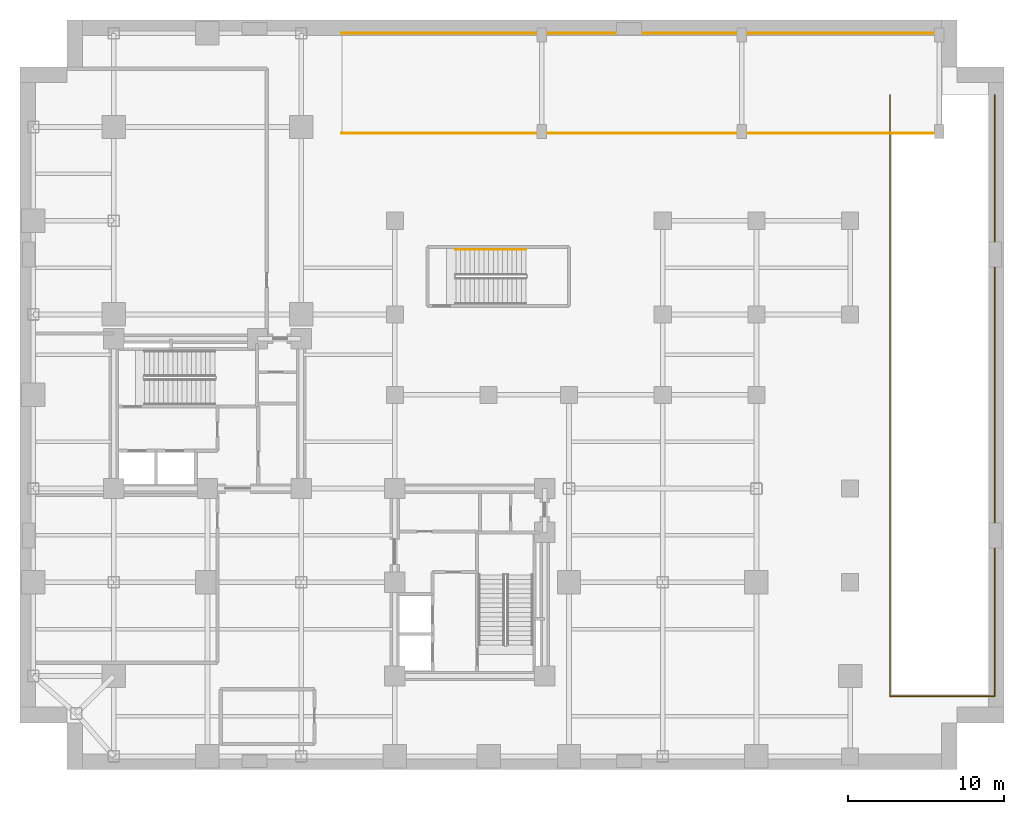
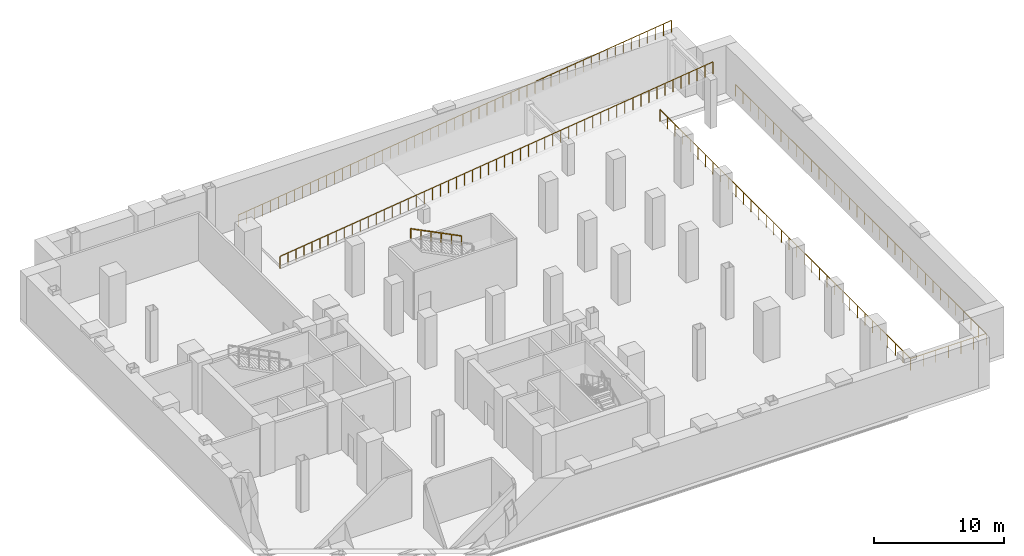
# One storey, part 6 of 6: 4 railings.
"""IFC4 building model written with IfcOpenShell, lengths in metres."""

from ifc_helpers import new_model, si_unit, direction, frame, origin, origin_2d, place, context, subcontext, project, spatial, rectangle, extrude, material, type_object, element, save


model = new_model("IFC4")

# Units and contexts
model_context = context("Model", 3, precision=1e-05, world=origin(), true_north=direction((0.0, 1.0)))
body_context = subcontext(model_context, "Body", "Model", "MODEL_VIEW")
ifc_project = project(units=[si_unit("LENGTHUNIT", "METRE"), si_unit("AREAUNIT", "SQUARE_METRE"), si_unit("VOLUMEUNIT", "CUBIC_METRE"), si_unit("PLANEANGLEUNIT", "RADIAN"), si_unit("MASSUNIT", "GRAM", prefix="KILO"), si_unit("THERMODYNAMICTEMPERATUREUNIT", "KELVIN"), si_unit("POWERUNIT", "WATT")], contexts=[model_context])

# Site, building, storey
site_placement = place(None, origin())
site = spatial("IfcSite", under=ifc_project, at=site_placement, CompositionType="ELEMENT")
building_placement = place(site_placement, origin())
building = spatial("IfcBuilding", under=site, at=building_placement, Name="Svarakhadi Broadcast Tower", CompositionType="ELEMENT")
storey_placement = place(building_placement, frame((0.0, 0.0, -4.800048828125)))
storey = spatial("IfcBuildingStorey", under=building, at=storey_placement, Name="B01", CompositionType="ELEMENT", Elevation=-4.800048828125)

# Railings
ifc_material = material(Name="Anodised Bronze Aluminium AA 6063-T6", Category="aluminium")
railing_type_1 = type_object("IfcRailingType", Name="Guard_Void_GR04", PredefinedType="GUARDRAIL", material=ifc_material)
railing_1_placement = place(storey_placement, frame((55.699951171875, 43.199951171875, 0.0)))
element("IfcRailing", 1, at=railing_1_placement, inside=storey, type_object=railing_type_1, Name="B01 Vehicle Ramp Open Well Guard GR-04", PredefinedType="GUARDRAIL", context=body_context, shape_type="SweptSolid", body=[
    extrude(rectangle(XDim=0.048095703125, YDim=0.048095703125, at=origin_2d()), frame((0.0, 0.0, 1.1259765625), z_axis=(0.0, -1.0, 0.0), x_axis=(1.0, 0.0, 0.0)), (0.0, 0.0, 1.0), 38.5),
    extrude(rectangle(XDim=0.048095703125, YDim=0.048095703125, at=origin_2d()), frame((0.0, -38.5, 1.1259765625), z_axis=(1.0, 0.0, 0.0), x_axis=(0.0, 1.0, 0.0)), (0.0, 0.0, 1.0), 6.699951171875),
    extrude(rectangle(XDim=0.048095703125, YDim=0.048095703125, at=origin_2d()), frame((6.699951171875, -38.5, 1.1259765625), z_axis=(0.0, 1.0, 0.0), x_axis=(-1.0, 0.0, 0.0)), (0.0, 0.0, 1.0), 38.5),
    extrude(rectangle(XDim=0.0419921875, YDim=0.0419921875, at=origin_2d()), origin(), (0.0, 0.0, 1.0), 1.101806640625),
    extrude(rectangle(XDim=0.0419921875, YDim=0.0419921875, at=origin_2d()), frame((0.0, -1.166748046875, 0.0)), (0.0, 0.0, 1.0), 1.101806640625),
    extrude(rectangle(XDim=0.0419921875, YDim=0.0419921875, at=origin_2d()), frame((0.0, -2.333251953125, 0.0)), (0.0, 0.0, 1.0), 1.101806640625),
    extrude(rectangle(XDim=0.0419921875, YDim=0.0419921875, at=origin_2d()), frame((0.0, -3.5, 0.0)), (0.0, 0.0, 1.0), 1.101806640625),
    extrude(rectangle(XDim=0.0419921875, YDim=0.0419921875, at=origin_2d()), frame((0.0, -4.666748046875, 0.0)), (0.0, 0.0, 1.0), 1.101806640625),
    extrude(rectangle(XDim=0.0419921875, YDim=0.0419921875, at=origin_2d()), frame((0.0, -5.833251953125, 0.0)), (0.0, 0.0, 1.0), 1.101806640625),
    extrude(rectangle(XDim=0.0419921875, YDim=0.0419921875, at=origin_2d()), frame((0.0, -7.0, 0.0)), (0.0, 0.0, 1.0), 1.101806640625),
    extrude(rectangle(XDim=0.0419921875, YDim=0.0419921875, at=origin_2d()), frame((0.0, -8.166748046875, 0.0)), (0.0, 0.0, 1.0), 1.101806640625),
    extrude(rectangle(XDim=0.0419921875, YDim=0.0419921875, at=origin_2d()), frame((0.0, -9.333251953125, 0.0)), (0.0, 0.0, 1.0), 1.101806640625),
    extrude(rectangle(XDim=0.0419921875, YDim=0.0419921875, at=origin_2d()), frame((0.0, -10.5, 0.0)), (0.0, 0.0, 1.0), 1.101806640625),
    extrude(rectangle(XDim=0.0419921875, YDim=0.0419921875, at=origin_2d()), frame((0.0, -11.666748046875, 0.0)), (0.0, 0.0, 1.0), 1.101806640625),
    extrude(rectangle(XDim=0.0419921875, YDim=0.0419921875, at=origin_2d()), frame((0.0, -12.833251953125, 0.0)), (0.0, 0.0, 1.0), 1.101806640625),
    extrude(rectangle(XDim=0.0419921875, YDim=0.0419921875, at=origin_2d()), frame((0.0, -14.0, 0.0)), (0.0, 0.0, 1.0), 1.101806640625),
    extrude(rectangle(XDim=0.0419921875, YDim=0.0419921875, at=origin_2d()), frame((0.0, -15.166748046875, 0.0)), (0.0, 0.0, 1.0), 1.101806640625),
    extrude(rectangle(XDim=0.0419921875, YDim=0.0419921875, at=origin_2d()), frame((0.0, -16.333251953125, 0.0)), (0.0, 0.0, 1.0), 1.101806640625),
    extrude(rectangle(XDim=0.0419921875, YDim=0.0419921875, at=origin_2d()), frame((0.0, -17.5, 0.0)), (0.0, 0.0, 1.0), 1.101806640625),
    extrude(rectangle(XDim=0.0419921875, YDim=0.0419921875, at=origin_2d()), frame((0.0, -18.666748046875, 0.0)), (0.0, 0.0, 1.0), 1.101806640625),
    extrude(rectangle(XDim=0.0419921875, YDim=0.0419921875, at=origin_2d()), frame((0.0, -19.833251953125, 0.0)), (0.0, 0.0, 1.0), 1.101806640625),
    extrude(rectangle(XDim=0.0419921875, YDim=0.0419921875, at=origin_2d()), frame((0.0, -21.0, 0.0)), (0.0, 0.0, 1.0), 1.101806640625),
    extrude(rectangle(XDim=0.0419921875, YDim=0.0419921875, at=origin_2d()), frame((0.0, -22.166748046875, 0.0)), (0.0, 0.0, 1.0), 1.101806640625),
    extrude(rectangle(XDim=0.0419921875, YDim=0.0419921875, at=origin_2d()), frame((0.0, -23.333251953125, 0.0)), (0.0, 0.0, 1.0), 1.101806640625),
    extrude(rectangle(XDim=0.0419921875, YDim=0.0419921875, at=origin_2d()), frame((0.0, -24.5, 0.0)), (0.0, 0.0, 1.0), 1.101806640625),
    extrude(rectangle(XDim=0.0419921875, YDim=0.0419921875, at=origin_2d()), frame((0.0, -25.666748046875, 0.0)), (0.0, 0.0, 1.0), 1.101806640625),
    extrude(rectangle(XDim=0.0419921875, YDim=0.0419921875, at=origin_2d()), frame((0.0, -26.833251953125, 0.0)), (0.0, 0.0, 1.0), 1.101806640625),
    extrude(rectangle(XDim=0.0419921875, YDim=0.0419921875, at=origin_2d()), frame((0.0, -28.0, 0.0)), (0.0, 0.0, 1.0), 1.101806640625),
    extrude(rectangle(XDim=0.0419921875, YDim=0.0419921875, at=origin_2d()), frame((0.0, -29.166748046875, 0.0)), (0.0, 0.0, 1.0), 1.101806640625),
    extrude(rectangle(XDim=0.0419921875, YDim=0.0419921875, at=origin_2d()), frame((0.0, -30.333251953125, 0.0)), (0.0, 0.0, 1.0), 1.101806640625),
    extrude(rectangle(XDim=0.0419921875, YDim=0.0419921875, at=origin_2d()), frame((0.0, -31.5, 0.0)), (0.0, 0.0, 1.0), 1.101806640625),
    extrude(rectangle(XDim=0.0419921875, YDim=0.0419921875, at=origin_2d()), frame((0.0, -32.666748046875, 0.0)), (0.0, 0.0, 1.0), 1.101806640625),
    extrude(rectangle(XDim=0.0419921875, YDim=0.0419921875, at=origin_2d()), frame((0.0, -33.833251953125, 0.0)), (0.0, 0.0, 1.0), 1.101806640625),
    extrude(rectangle(XDim=0.0419921875, YDim=0.0419921875, at=origin_2d()), frame((0.0, -35.0, 0.0)), (0.0, 0.0, 1.0), 1.101806640625),
    extrude(rectangle(XDim=0.0419921875, YDim=0.0419921875, at=origin_2d()), frame((0.0, -36.166748046875, 0.0)), (0.0, 0.0, 1.0), 1.101806640625),
    extrude(rectangle(XDim=0.0419921875, YDim=0.0419921875, at=origin_2d()), frame((0.0, -37.333251953125, 0.0)), (0.0, 0.0, 1.0), 1.101806640625),
    extrude(rectangle(XDim=0.0419921875, YDim=0.0419921875, at=origin_2d()), frame((0.0, -38.5, 0.0)), (0.0, 0.0, 1.0), 1.101806640625),
    extrude(rectangle(XDim=0.0419921875, YDim=0.0419921875, at=origin_2d()), frame((1.11669921875, -38.5, 0.0)), (0.0, 0.0, 1.0), 1.101806640625),
    extrude(rectangle(XDim=0.0419921875, YDim=0.0419921875, at=origin_2d()), frame((2.2333984375, -38.5, 0.0)), (0.0, 0.0, 1.0), 1.101806640625),
    extrude(rectangle(XDim=0.0419921875, YDim=0.0419921875, at=origin_2d()), frame((3.35009765625, -38.5, 0.0)), (0.0, 0.0, 1.0), 1.101806640625),
    extrude(rectangle(XDim=0.0419921875, YDim=0.0419921875, at=origin_2d()), frame((4.466552734375, -38.5, 0.0)), (0.0, 0.0, 1.0), 1.101806640625),
    extrude(rectangle(XDim=0.0419921875, YDim=0.0419921875, at=origin_2d()), frame((5.583251953125, -38.5, 0.0)), (0.0, 0.0, 1.0), 1.101806640625),
    extrude(rectangle(XDim=0.0419921875, YDim=0.0419921875, at=origin_2d()), frame((6.699951171875, -38.5, 0.0)), (0.0, 0.0, 1.0), 1.101806640625),
    extrude(rectangle(XDim=0.0419921875, YDim=0.0419921875, at=origin_2d()), frame((6.699951171875, -37.333251953125, 0.0)), (0.0, 0.0, 1.0), 1.101806640625),
    extrude(rectangle(XDim=0.0419921875, YDim=0.0419921875, at=origin_2d()), frame((6.699951171875, -36.166748046875, 0.0)), (0.0, 0.0, 1.0), 1.101806640625),
    extrude(rectangle(XDim=0.0419921875, YDim=0.0419921875, at=origin_2d()), frame((6.699951171875, -35.0, 0.0)), (0.0, 0.0, 1.0), 1.101806640625),
    extrude(rectangle(XDim=0.0419921875, YDim=0.0419921875, at=origin_2d()), frame((6.699951171875, -33.833251953125, 0.0)), (0.0, 0.0, 1.0), 1.101806640625),
    extrude(rectangle(XDim=0.0419921875, YDim=0.0419921875, at=origin_2d()), frame((6.699951171875, -32.666748046875, 0.0)), (0.0, 0.0, 1.0), 1.101806640625),
    extrude(rectangle(XDim=0.0419921875, YDim=0.0419921875, at=origin_2d()), frame((6.699951171875, -31.5, 0.0)), (0.0, 0.0, 1.0), 1.101806640625),
    extrude(rectangle(XDim=0.0419921875, YDim=0.0419921875, at=origin_2d()), frame((6.699951171875, -30.333251953125, 0.0)), (0.0, 0.0, 1.0), 1.101806640625),
    extrude(rectangle(XDim=0.0419921875, YDim=0.0419921875, at=origin_2d()), frame((6.699951171875, -29.166748046875, 0.0)), (0.0, 0.0, 1.0), 1.101806640625),
    extrude(rectangle(XDim=0.0419921875, YDim=0.0419921875, at=origin_2d()), frame((6.699951171875, -28.0, 0.0)), (0.0, 0.0, 1.0), 1.101806640625),
    extrude(rectangle(XDim=0.0419921875, YDim=0.0419921875, at=origin_2d()), frame((6.699951171875, -26.833251953125, 0.0)), (0.0, 0.0, 1.0), 1.101806640625),
    extrude(rectangle(XDim=0.0419921875, YDim=0.0419921875, at=origin_2d()), frame((6.699951171875, -25.666748046875, 0.0)), (0.0, 0.0, 1.0), 1.101806640625),
    extrude(rectangle(XDim=0.0419921875, YDim=0.0419921875, at=origin_2d()), frame((6.699951171875, -24.5, 0.0)), (0.0, 0.0, 1.0), 1.101806640625),
    extrude(rectangle(XDim=0.0419921875, YDim=0.0419921875, at=origin_2d()), frame((6.699951171875, -23.333251953125, 0.0)), (0.0, 0.0, 1.0), 1.101806640625),
    extrude(rectangle(XDim=0.0419921875, YDim=0.0419921875, at=origin_2d()), frame((6.699951171875, -22.166748046875, 0.0)), (0.0, 0.0, 1.0), 1.101806640625),
    extrude(rectangle(XDim=0.0419921875, YDim=0.0419921875, at=origin_2d()), frame((6.699951171875, -21.0, 0.0)), (0.0, 0.0, 1.0), 1.101806640625),
    extrude(rectangle(XDim=0.0419921875, YDim=0.0419921875, at=origin_2d()), frame((6.699951171875, -19.833251953125, 0.0)), (0.0, 0.0, 1.0), 1.101806640625),
    extrude(rectangle(XDim=0.0419921875, YDim=0.0419921875, at=origin_2d()), frame((6.699951171875, -18.666748046875, 0.0)), (0.0, 0.0, 1.0), 1.101806640625),
    extrude(rectangle(XDim=0.0419921875, YDim=0.0419921875, at=origin_2d()), frame((6.699951171875, -17.5, 0.0)), (0.0, 0.0, 1.0), 1.101806640625),
    extrude(rectangle(XDim=0.0419921875, YDim=0.0419921875, at=origin_2d()), frame((6.699951171875, -16.333251953125, 0.0)), (0.0, 0.0, 1.0), 1.101806640625),
    extrude(rectangle(XDim=0.0419921875, YDim=0.0419921875, at=origin_2d()), frame((6.699951171875, -15.166748046875, 0.0)), (0.0, 0.0, 1.0), 1.101806640625),
    extrude(rectangle(XDim=0.0419921875, YDim=0.0419921875, at=origin_2d()), frame((6.699951171875, -14.0, 0.0)), (0.0, 0.0, 1.0), 1.101806640625),
    extrude(rectangle(XDim=0.0419921875, YDim=0.0419921875, at=origin_2d()), frame((6.699951171875, -12.833251953125, 0.0)), (0.0, 0.0, 1.0), 1.101806640625),
    extrude(rectangle(XDim=0.0419921875, YDim=0.0419921875, at=origin_2d()), frame((6.699951171875, -11.666748046875, 0.0)), (0.0, 0.0, 1.0), 1.101806640625),
    extrude(rectangle(XDim=0.0419921875, YDim=0.0419921875, at=origin_2d()), frame((6.699951171875, -10.5, 0.0)), (0.0, 0.0, 1.0), 1.101806640625),
    extrude(rectangle(XDim=0.0419921875, YDim=0.0419921875, at=origin_2d()), frame((6.699951171875, -9.333251953125, 0.0)), (0.0, 0.0, 1.0), 1.101806640625),
    extrude(rectangle(XDim=0.0419921875, YDim=0.0419921875, at=origin_2d()), frame((6.699951171875, -8.166748046875, 0.0)), (0.0, 0.0, 1.0), 1.101806640625),
    extrude(rectangle(XDim=0.0419921875, YDim=0.0419921875, at=origin_2d()), frame((6.699951171875, -7.0, 0.0)), (0.0, 0.0, 1.0), 1.101806640625),
    extrude(rectangle(XDim=0.0419921875, YDim=0.0419921875, at=origin_2d()), frame((6.699951171875, -5.833251953125, 0.0)), (0.0, 0.0, 1.0), 1.101806640625),
    extrude(rectangle(XDim=0.0419921875, YDim=0.0419921875, at=origin_2d()), frame((6.699951171875, -4.666748046875, 0.0)), (0.0, 0.0, 1.0), 1.101806640625),
    extrude(rectangle(XDim=0.0419921875, YDim=0.0419921875, at=origin_2d()), frame((6.699951171875, -3.5, 0.0)), (0.0, 0.0, 1.0), 1.101806640625),
    extrude(rectangle(XDim=0.0419921875, YDim=0.0419921875, at=origin_2d()), frame((6.699951171875, -2.333251953125, 0.0)), (0.0, 0.0, 1.0), 1.101806640625),
    extrude(rectangle(XDim=0.0419921875, YDim=0.0419921875, at=origin_2d()), frame((6.699951171875, -1.166748046875, 0.0)), (0.0, 0.0, 1.0), 1.101806640625),
    extrude(rectangle(XDim=0.0419921875, YDim=0.0419921875, at=origin_2d()), frame((6.699951171875, 0.0, 0.0)), (0.0, 0.0, 1.0), 1.101806640625),
])
railing_2_placement = place(storey_placement, frame((20.60009765625, 40.75, 0.0)))
element("IfcRailing", 2, at=railing_2_placement, inside=storey, type_object=railing_type_1, Name="B01 Vehicle Ramp Sloped Side Guard S GR-04", PredefinedType="GUARDRAIL", context=body_context, shape_type="SweptSolid", body=[
    extrude(rectangle(XDim=0.048095703125, YDim=0.048095703125, at=origin_2d()), frame((0.0, 0.0, 1.1259765625), z_axis=(0.992276711964, 0.0, 0.124044052228), x_axis=(0.0, 1.0, 0.0)), (0.0, 0.0, 1.0), 12.8994140625),
    extrude(rectangle(XDim=0.048095703125, YDim=0.048095703125, at=origin_2d()), frame((12.7998046875, 0.0, 2.72607421875), z_axis=(0.992279332503, 0.0, 0.124023087717), x_axis=(0.0, 1.0, 0.0)), (0.0, 0.0, 1.0), 12.899658203125),
    extrude(rectangle(XDim=0.048095703125, YDim=0.048095703125, at=origin_2d()), frame((25.599853515625, 0.0, 4.32568359375), z_axis=(0.992277003176, 0.0, 0.124041722688), x_axis=(0.0, 1.0, 0.0)), (0.0, 0.0, 1.0), 12.899658203125),
    extrude(rectangle(XDim=0.0419921875, YDim=0.0419921875, at=origin_2d()), origin(), (0.0, 0.0, 1.0), 1.101806640625),
    extrude(rectangle(XDim=0.0419921875, YDim=0.0419921875, at=origin_2d()), frame((0.711181640625, 0.0, 0.0888671875)), (0.0, 0.0, 1.0), 1.101806640625),
    extrude(rectangle(XDim=0.0419921875, YDim=0.0419921875, at=origin_2d()), frame((1.422119140625, 0.0, 0.177734375)), (0.0, 0.0, 1.0), 1.101806640625),
    extrude(rectangle(XDim=0.0419921875, YDim=0.0419921875, at=origin_2d()), frame((2.13330078125, 0.0, 0.2666015625)), (0.0, 0.0, 1.0), 1.101806640625),
    extrude(rectangle(XDim=0.0419921875, YDim=0.0419921875, at=origin_2d()), frame((2.844482421875, 0.0, 0.35546875)), (0.0, 0.0, 1.0), 1.101806640625),
    extrude(rectangle(XDim=0.0419921875, YDim=0.0419921875, at=origin_2d()), frame((3.555419921875, 0.0, 0.444580078125)), (0.0, 0.0, 1.0), 1.101806640625),
    extrude(rectangle(XDim=0.0419921875, YDim=0.0419921875, at=origin_2d()), frame((4.2666015625, 0.0, 0.533447265625)), (0.0, 0.0, 1.0), 1.101806640625),
    extrude(rectangle(XDim=0.0419921875, YDim=0.0419921875, at=origin_2d()), frame((4.977783203125, 0.0, 0.622314453125)), (0.0, 0.0, 1.0), 1.101806640625),
    extrude(rectangle(XDim=0.0419921875, YDim=0.0419921875, at=origin_2d()), frame((5.688720703125, 0.0, 0.711181640625)), (0.0, 0.0, 1.0), 1.101806640625),
    extrude(rectangle(XDim=0.0419921875, YDim=0.0419921875, at=origin_2d()), frame((6.39990234375, 0.0, 0.800048828125)), (0.0, 0.0, 1.0), 1.101806640625),
    extrude(rectangle(XDim=0.0419921875, YDim=0.0419921875, at=origin_2d()), frame((7.111083984375, 0.0, 0.888916015625)), (0.0, 0.0, 1.0), 1.101806640625),
    extrude(rectangle(XDim=0.0419921875, YDim=0.0419921875, at=origin_2d()), frame((7.822021484375, 0.0, 0.977783203125)), (0.0, 0.0, 1.0), 1.101806640625),
    extrude(rectangle(XDim=0.0419921875, YDim=0.0419921875, at=origin_2d()), frame((8.533203125, 0.0, 1.066650390625)), (0.0, 0.0, 1.0), 1.101806640625),
    extrude(rectangle(XDim=0.0419921875, YDim=0.0419921875, at=origin_2d()), frame((9.244384765625, 0.0, 1.155517578125)), (0.0, 0.0, 1.0), 1.101806640625),
    extrude(rectangle(XDim=0.0419921875, YDim=0.0419921875, at=origin_2d()), frame((9.955322265625, 0.0, 1.24462890625)), (0.0, 0.0, 1.0), 1.101806640625),
    extrude(rectangle(XDim=0.0419921875, YDim=0.0419921875, at=origin_2d()), frame((10.66650390625, 0.0, 1.33349609375)), (0.0, 0.0, 1.0), 1.101806640625),
    extrude(rectangle(XDim=0.0419921875, YDim=0.0419921875, at=origin_2d()), frame((11.377685546875, 0.0, 1.42236328125)), (0.0, 0.0, 1.0), 1.101806640625),
    extrude(rectangle(XDim=0.0419921875, YDim=0.0419921875, at=origin_2d()), frame((12.088623046875, 0.0, 1.51123046875)), (0.0, 0.0, 1.0), 1.101806640625),
    extrude(rectangle(XDim=0.0419921875, YDim=0.0419921875, at=origin_2d()), frame((12.7998046875, 0.0, 1.60009765625)), (0.0, 0.0, 1.0), 1.101806640625),
    extrude(rectangle(XDim=0.0419921875, YDim=0.0419921875, at=origin_2d()), frame((13.510986328125, 0.0, 1.68896484375)), (0.0, 0.0, 1.0), 1.101806640625),
    extrude(rectangle(XDim=0.0419921875, YDim=0.0419921875, at=origin_2d()), frame((14.221923828125, 0.0, 1.77783203125)), (0.0, 0.0, 1.0), 1.101806640625),
    extrude(rectangle(XDim=0.0419921875, YDim=0.0419921875, at=origin_2d()), frame((14.93310546875, 0.0, 1.86669921875)), (0.0, 0.0, 1.0), 1.101806640625),
    extrude(rectangle(XDim=0.0419921875, YDim=0.0419921875, at=origin_2d()), frame((15.644287109375, 0.0, 1.95556640625)), (0.0, 0.0, 1.0), 1.101806640625),
    extrude(rectangle(XDim=0.0419921875, YDim=0.0419921875, at=origin_2d()), frame((16.35546875, 0.0, 2.04443359375)), (0.0, 0.0, 1.0), 1.101806640625),
    extrude(rectangle(XDim=0.0419921875, YDim=0.0419921875, at=origin_2d()), frame((17.06640625, 0.0, 2.13330078125)), (0.0, 0.0, 1.0), 1.101806640625),
    extrude(rectangle(XDim=0.0419921875, YDim=0.0419921875, at=origin_2d()), frame((17.777587890625, 0.0, 2.22216796875)), (0.0, 0.0, 1.0), 1.101806640625),
    extrude(rectangle(XDim=0.0419921875, YDim=0.0419921875, at=origin_2d()), frame((18.48876953125, 0.0, 2.31103515625)), (0.0, 0.0, 1.0), 1.101806640625),
    extrude(rectangle(XDim=0.0419921875, YDim=0.0419921875, at=origin_2d()), frame((19.19970703125, 0.0, 2.39990234375)), (0.0, 0.0, 1.0), 1.101806640625),
    extrude(rectangle(XDim=0.0419921875, YDim=0.0419921875, at=origin_2d()), frame((19.910888671875, 0.0, 2.489013671875)), (0.0, 0.0, 1.0), 1.101806640625),
    extrude(rectangle(XDim=0.0419921875, YDim=0.0419921875, at=origin_2d()), frame((20.6220703125, 0.0, 2.577880859375)), (0.0, 0.0, 1.0), 1.101806640625),
    extrude(rectangle(XDim=0.0419921875, YDim=0.0419921875, at=origin_2d()), frame((21.333251953125, 0.0, 2.666748046875)), (0.0, 0.0, 1.0), 1.101806640625),
    extrude(rectangle(XDim=0.0419921875, YDim=0.0419921875, at=origin_2d()), frame((22.044189453125, 0.0, 2.755615234375)), (0.0, 0.0, 1.0), 1.101806640625),
    extrude(rectangle(XDim=0.0419921875, YDim=0.0419921875, at=origin_2d()), frame((22.75537109375, 0.0, 2.844482421875)), (0.0, 0.0, 1.0), 1.101806640625),
    extrude(rectangle(XDim=0.0419921875, YDim=0.0419921875, at=origin_2d()), frame((23.466552734375, 0.0, 2.933349609375)), (0.0, 0.0, 1.0), 1.101806640625),
    extrude(rectangle(XDim=0.0419921875, YDim=0.0419921875, at=origin_2d()), frame((24.177734375, 0.0, 3.022216796875)), (0.0, 0.0, 1.0), 1.101806640625),
    extrude(rectangle(XDim=0.0419921875, YDim=0.0419921875, at=origin_2d()), frame((24.888671875, 0.0, 3.111083984375)), (0.0, 0.0, 1.0), 1.101806640625),
    extrude(rectangle(XDim=0.0419921875, YDim=0.0419921875, at=origin_2d()), frame((25.599853515625, 0.0, 3.199951171875)), (0.0, 0.0, 1.0), 1.101806640625),
    extrude(rectangle(XDim=0.0419921875, YDim=0.0419921875, at=origin_2d()), frame((26.31103515625, 0.0, 3.288818359375)), (0.0, 0.0, 1.0), 1.101806640625),
    extrude(rectangle(XDim=0.0419921875, YDim=0.0419921875, at=origin_2d()), frame((27.02197265625, 0.0, 3.377685546875)), (0.0, 0.0, 1.0), 1.101806640625),
    extrude(rectangle(XDim=0.0419921875, YDim=0.0419921875, at=origin_2d()), frame((27.733154296875, 0.0, 3.466552734375)), (0.0, 0.0, 1.0), 1.101806640625),
    extrude(rectangle(XDim=0.0419921875, YDim=0.0419921875, at=origin_2d()), frame((28.4443359375, 0.0, 3.555419921875)), (0.0, 0.0, 1.0), 1.101806640625),
    extrude(rectangle(XDim=0.0419921875, YDim=0.0419921875, at=origin_2d()), frame((29.155517578125, 0.0, 3.64453125)), (0.0, 0.0, 1.0), 1.101806640625),
    extrude(rectangle(XDim=0.0419921875, YDim=0.0419921875, at=origin_2d()), frame((29.866455078125, 0.0, 3.7333984375)), (0.0, 0.0, 1.0), 1.101806640625),
    extrude(rectangle(XDim=0.0419921875, YDim=0.0419921875, at=origin_2d()), frame((30.57763671875, 0.0, 3.822265625)), (0.0, 0.0, 1.0), 1.101806640625),
    extrude(rectangle(XDim=0.0419921875, YDim=0.0419921875, at=origin_2d()), frame((31.288818359375, 0.0, 3.9111328125)), (0.0, 0.0, 1.0), 1.101806640625),
    extrude(rectangle(XDim=0.0419921875, YDim=0.0419921875, at=origin_2d()), frame((32.0, 0.0, 4.0)), (0.0, 0.0, 1.0), 1.101806640625),
    extrude(rectangle(XDim=0.0419921875, YDim=0.0419921875, at=origin_2d()), frame((32.7109375, 0.0, 4.0888671875)), (0.0, 0.0, 1.0), 1.101806640625),
    extrude(rectangle(XDim=0.0419921875, YDim=0.0419921875, at=origin_2d()), frame((33.422119140625, 0.0, 4.177734375)), (0.0, 0.0, 1.0), 1.101806640625),
    extrude(rectangle(XDim=0.0419921875, YDim=0.0419921875, at=origin_2d()), frame((34.13330078125, 0.0, 4.2666015625)), (0.0, 0.0, 1.0), 1.101806640625),
    extrude(rectangle(XDim=0.0419921875, YDim=0.0419921875, at=origin_2d()), frame((34.84423828125, 0.0, 4.35546875)), (0.0, 0.0, 1.0), 1.101806640625),
    extrude(rectangle(XDim=0.0419921875, YDim=0.0419921875, at=origin_2d()), frame((35.555419921875, 0.0, 4.444580078125)), (0.0, 0.0, 1.0), 1.101806640625),
    extrude(rectangle(XDim=0.0419921875, YDim=0.0419921875, at=origin_2d()), frame((36.2666015625, 0.0, 4.533447265625)), (0.0, 0.0, 1.0), 1.101806640625),
    extrude(rectangle(XDim=0.0419921875, YDim=0.0419921875, at=origin_2d()), frame((36.977783203125, 0.0, 4.622314453125)), (0.0, 0.0, 1.0), 1.101806640625),
    extrude(rectangle(XDim=0.0419921875, YDim=0.0419921875, at=origin_2d()), frame((37.688720703125, 0.0, 4.711181640625)), (0.0, 0.0, 1.0), 1.101806640625),
    extrude(rectangle(XDim=0.0419921875, YDim=0.0419921875, at=origin_2d()), frame((38.39990234375, 0.0, 4.800048828125)), (0.0, 0.0, 1.0), 1.101806640625),
])
railing_3_placement = place(storey_placement, frame((20.60009765625, 47.14990234375, 0.0)))
element("IfcRailing", 3, at=railing_3_placement, inside=storey, type_object=railing_type_1, Name="B01 Vehicle Ramp Sloped Side Guard N GR-04", PredefinedType="GUARDRAIL", context=body_context, shape_type="SweptSolid", body=[
    extrude(rectangle(XDim=0.048095703125, YDim=0.048095703125, at=origin_2d()), frame((0.0, 0.0, 1.1259765625), z_axis=(0.992276711964, 0.0, 0.124044052228), x_axis=(0.0, 1.0, 0.0)), (0.0, 0.0, 1.0), 12.8994140625),
    extrude(rectangle(XDim=0.048095703125, YDim=0.048095703125, at=origin_2d()), frame((12.7998046875, 0.0, 2.72607421875), z_axis=(0.992279332503, 0.0, 0.124023087717), x_axis=(0.0, 1.0, 0.0)), (0.0, 0.0, 1.0), 12.899658203125),
    extrude(rectangle(XDim=0.048095703125, YDim=0.048095703125, at=origin_2d()), frame((25.599853515625, 0.0, 4.32568359375), z_axis=(0.992277003176, 0.0, 0.124041722688), x_axis=(0.0, 1.0, 0.0)), (0.0, 0.0, 1.0), 12.899658203125),
    extrude(rectangle(XDim=0.0419921875, YDim=0.0419921875, at=origin_2d()), origin(), (0.0, 0.0, 1.0), 1.101806640625),
    extrude(rectangle(XDim=0.0419921875, YDim=0.0419921875, at=origin_2d()), frame((0.711181640625, 0.0, 0.0888671875)), (0.0, 0.0, 1.0), 1.101806640625),
    extrude(rectangle(XDim=0.0419921875, YDim=0.0419921875, at=origin_2d()), frame((1.422119140625, 0.0, 0.177734375)), (0.0, 0.0, 1.0), 1.101806640625),
    extrude(rectangle(XDim=0.0419921875, YDim=0.0419921875, at=origin_2d()), frame((2.13330078125, 0.0, 0.2666015625)), (0.0, 0.0, 1.0), 1.101806640625),
    extrude(rectangle(XDim=0.0419921875, YDim=0.0419921875, at=origin_2d()), frame((2.844482421875, 0.0, 0.35546875)), (0.0, 0.0, 1.0), 1.101806640625),
    extrude(rectangle(XDim=0.0419921875, YDim=0.0419921875, at=origin_2d()), frame((3.555419921875, 0.0, 0.444580078125)), (0.0, 0.0, 1.0), 1.101806640625),
    extrude(rectangle(XDim=0.0419921875, YDim=0.0419921875, at=origin_2d()), frame((4.2666015625, 0.0, 0.533447265625)), (0.0, 0.0, 1.0), 1.101806640625),
    extrude(rectangle(XDim=0.0419921875, YDim=0.0419921875, at=origin_2d()), frame((4.977783203125, 0.0, 0.622314453125)), (0.0, 0.0, 1.0), 1.101806640625),
    extrude(rectangle(XDim=0.0419921875, YDim=0.0419921875, at=origin_2d()), frame((5.688720703125, 0.0, 0.711181640625)), (0.0, 0.0, 1.0), 1.101806640625),
    extrude(rectangle(XDim=0.0419921875, YDim=0.0419921875, at=origin_2d()), frame((6.39990234375, 0.0, 0.800048828125)), (0.0, 0.0, 1.0), 1.101806640625),
    extrude(rectangle(XDim=0.0419921875, YDim=0.0419921875, at=origin_2d()), frame((7.111083984375, 0.0, 0.888916015625)), (0.0, 0.0, 1.0), 1.101806640625),
    extrude(rectangle(XDim=0.0419921875, YDim=0.0419921875, at=origin_2d()), frame((7.822021484375, 0.0, 0.977783203125)), (0.0, 0.0, 1.0), 1.101806640625),
    extrude(rectangle(XDim=0.0419921875, YDim=0.0419921875, at=origin_2d()), frame((8.533203125, 0.0, 1.066650390625)), (0.0, 0.0, 1.0), 1.101806640625),
    extrude(rectangle(XDim=0.0419921875, YDim=0.0419921875, at=origin_2d()), frame((9.244384765625, 0.0, 1.155517578125)), (0.0, 0.0, 1.0), 1.101806640625),
    extrude(rectangle(XDim=0.0419921875, YDim=0.0419921875, at=origin_2d()), frame((9.955322265625, 0.0, 1.24462890625)), (0.0, 0.0, 1.0), 1.101806640625),
    extrude(rectangle(XDim=0.0419921875, YDim=0.0419921875, at=origin_2d()), frame((10.66650390625, 0.0, 1.33349609375)), (0.0, 0.0, 1.0), 1.101806640625),
    extrude(rectangle(XDim=0.0419921875, YDim=0.0419921875, at=origin_2d()), frame((11.377685546875, 0.0, 1.42236328125)), (0.0, 0.0, 1.0), 1.101806640625),
    extrude(rectangle(XDim=0.0419921875, YDim=0.0419921875, at=origin_2d()), frame((12.088623046875, 0.0, 1.51123046875)), (0.0, 0.0, 1.0), 1.101806640625),
    extrude(rectangle(XDim=0.0419921875, YDim=0.0419921875, at=origin_2d()), frame((12.7998046875, 0.0, 1.60009765625)), (0.0, 0.0, 1.0), 1.101806640625),
    extrude(rectangle(XDim=0.0419921875, YDim=0.0419921875, at=origin_2d()), frame((13.510986328125, 0.0, 1.68896484375)), (0.0, 0.0, 1.0), 1.101806640625),
    extrude(rectangle(XDim=0.0419921875, YDim=0.0419921875, at=origin_2d()), frame((14.221923828125, 0.0, 1.77783203125)), (0.0, 0.0, 1.0), 1.101806640625),
    extrude(rectangle(XDim=0.0419921875, YDim=0.0419921875, at=origin_2d()), frame((14.93310546875, 0.0, 1.86669921875)), (0.0, 0.0, 1.0), 1.101806640625),
    extrude(rectangle(XDim=0.0419921875, YDim=0.0419921875, at=origin_2d()), frame((15.644287109375, 0.0, 1.95556640625)), (0.0, 0.0, 1.0), 1.101806640625),
    extrude(rectangle(XDim=0.0419921875, YDim=0.0419921875, at=origin_2d()), frame((16.35546875, 0.0, 2.04443359375)), (0.0, 0.0, 1.0), 1.101806640625),
    extrude(rectangle(XDim=0.0419921875, YDim=0.0419921875, at=origin_2d()), frame((17.06640625, 0.0, 2.13330078125)), (0.0, 0.0, 1.0), 1.101806640625),
    extrude(rectangle(XDim=0.0419921875, YDim=0.0419921875, at=origin_2d()), frame((17.777587890625, 0.0, 2.22216796875)), (0.0, 0.0, 1.0), 1.101806640625),
    extrude(rectangle(XDim=0.0419921875, YDim=0.0419921875, at=origin_2d()), frame((18.48876953125, 0.0, 2.31103515625)), (0.0, 0.0, 1.0), 1.101806640625),
    extrude(rectangle(XDim=0.0419921875, YDim=0.0419921875, at=origin_2d()), frame((19.19970703125, 0.0, 2.39990234375)), (0.0, 0.0, 1.0), 1.101806640625),
    extrude(rectangle(XDim=0.0419921875, YDim=0.0419921875, at=origin_2d()), frame((19.910888671875, 0.0, 2.489013671875)), (0.0, 0.0, 1.0), 1.101806640625),
    extrude(rectangle(XDim=0.0419921875, YDim=0.0419921875, at=origin_2d()), frame((20.6220703125, 0.0, 2.577880859375)), (0.0, 0.0, 1.0), 1.101806640625),
    extrude(rectangle(XDim=0.0419921875, YDim=0.0419921875, at=origin_2d()), frame((21.333251953125, 0.0, 2.666748046875)), (0.0, 0.0, 1.0), 1.101806640625),
    extrude(rectangle(XDim=0.0419921875, YDim=0.0419921875, at=origin_2d()), frame((22.044189453125, 0.0, 2.755615234375)), (0.0, 0.0, 1.0), 1.101806640625),
    extrude(rectangle(XDim=0.0419921875, YDim=0.0419921875, at=origin_2d()), frame((22.75537109375, 0.0, 2.844482421875)), (0.0, 0.0, 1.0), 1.101806640625),
    extrude(rectangle(XDim=0.0419921875, YDim=0.0419921875, at=origin_2d()), frame((23.466552734375, 0.0, 2.933349609375)), (0.0, 0.0, 1.0), 1.101806640625),
    extrude(rectangle(XDim=0.0419921875, YDim=0.0419921875, at=origin_2d()), frame((24.177734375, 0.0, 3.022216796875)), (0.0, 0.0, 1.0), 1.101806640625),
    extrude(rectangle(XDim=0.0419921875, YDim=0.0419921875, at=origin_2d()), frame((24.888671875, 0.0, 3.111083984375)), (0.0, 0.0, 1.0), 1.101806640625),
    extrude(rectangle(XDim=0.0419921875, YDim=0.0419921875, at=origin_2d()), frame((25.599853515625, 0.0, 3.199951171875)), (0.0, 0.0, 1.0), 1.101806640625),
    extrude(rectangle(XDim=0.0419921875, YDim=0.0419921875, at=origin_2d()), frame((26.31103515625, 0.0, 3.288818359375)), (0.0, 0.0, 1.0), 1.101806640625),
    extrude(rectangle(XDim=0.0419921875, YDim=0.0419921875, at=origin_2d()), frame((27.02197265625, 0.0, 3.377685546875)), (0.0, 0.0, 1.0), 1.101806640625),
    extrude(rectangle(XDim=0.0419921875, YDim=0.0419921875, at=origin_2d()), frame((27.733154296875, 0.0, 3.466552734375)), (0.0, 0.0, 1.0), 1.101806640625),
    extrude(rectangle(XDim=0.0419921875, YDim=0.0419921875, at=origin_2d()), frame((28.4443359375, 0.0, 3.555419921875)), (0.0, 0.0, 1.0), 1.101806640625),
    extrude(rectangle(XDim=0.0419921875, YDim=0.0419921875, at=origin_2d()), frame((29.155517578125, 0.0, 3.64453125)), (0.0, 0.0, 1.0), 1.101806640625),
    extrude(rectangle(XDim=0.0419921875, YDim=0.0419921875, at=origin_2d()), frame((29.866455078125, 0.0, 3.7333984375)), (0.0, 0.0, 1.0), 1.101806640625),
    extrude(rectangle(XDim=0.0419921875, YDim=0.0419921875, at=origin_2d()), frame((30.57763671875, 0.0, 3.822265625)), (0.0, 0.0, 1.0), 1.101806640625),
    extrude(rectangle(XDim=0.0419921875, YDim=0.0419921875, at=origin_2d()), frame((31.288818359375, 0.0, 3.9111328125)), (0.0, 0.0, 1.0), 1.101806640625),
    extrude(rectangle(XDim=0.0419921875, YDim=0.0419921875, at=origin_2d()), frame((32.0, 0.0, 4.0)), (0.0, 0.0, 1.0), 1.101806640625),
    extrude(rectangle(XDim=0.0419921875, YDim=0.0419921875, at=origin_2d()), frame((32.7109375, 0.0, 4.0888671875)), (0.0, 0.0, 1.0), 1.101806640625),
    extrude(rectangle(XDim=0.0419921875, YDim=0.0419921875, at=origin_2d()), frame((33.422119140625, 0.0, 4.177734375)), (0.0, 0.0, 1.0), 1.101806640625),
    extrude(rectangle(XDim=0.0419921875, YDim=0.0419921875, at=origin_2d()), frame((34.13330078125, 0.0, 4.2666015625)), (0.0, 0.0, 1.0), 1.101806640625),
    extrude(rectangle(XDim=0.0419921875, YDim=0.0419921875, at=origin_2d()), frame((34.84423828125, 0.0, 4.35546875)), (0.0, 0.0, 1.0), 1.101806640625),
    extrude(rectangle(XDim=0.0419921875, YDim=0.0419921875, at=origin_2d()), frame((35.555419921875, 0.0, 4.444580078125)), (0.0, 0.0, 1.0), 1.101806640625),
    extrude(rectangle(XDim=0.0419921875, YDim=0.0419921875, at=origin_2d()), frame((36.2666015625, 0.0, 4.533447265625)), (0.0, 0.0, 1.0), 1.101806640625),
    extrude(rectangle(XDim=0.0419921875, YDim=0.0419921875, at=origin_2d()), frame((36.977783203125, 0.0, 4.622314453125)), (0.0, 0.0, 1.0), 1.101806640625),
    extrude(rectangle(XDim=0.0419921875, YDim=0.0419921875, at=origin_2d()), frame((37.688720703125, 0.0, 4.711181640625)), (0.0, 0.0, 1.0), 1.101806640625),
    extrude(rectangle(XDim=0.0419921875, YDim=0.0419921875, at=origin_2d()), frame((38.39990234375, 0.0, 4.800048828125)), (0.0, 0.0, 1.0), 1.101806640625),
])
railing_type_2 = type_object("IfcRailingType", Name="Handrail_Stair_HR01", PredefinedType="HANDRAIL", material=ifc_material)
railing_4_placement = place(storey_placement, frame((32.39990234375, 33.31005859375, 2.550048828125)))
element("IfcRailing", 4, at=railing_4_placement, inside=storey, type_object=railing_type_2, Name="B01 ST-03 stair handrail 2", PredefinedType="HANDRAIL", context=body_context, shape_type="SweptSolid", body=[
    extrude(rectangle(XDim=0.048095703125, YDim=0.048095703125, at=origin_2d()), frame((0.0, 0.0, 0.8759765625), z_axis=(-0.894427191, 0.0, 0.4472135955), x_axis=(0.0, -1.0, 0.0)), (0.0, 0.0, 1.0), 5.03125),
    extrude(rectangle(XDim=0.0419921875, YDim=0.0419921875, at=origin_2d()), origin(), (0.0, 0.0, 1.0), 0.851806640625),
    extrude(rectangle(XDim=0.0419921875, YDim=0.0419921875, at=origin_2d()), frame((-0.89990234375, 0.0, 0.449951171875)), (0.0, 0.0, 1.0), 0.851806640625),
    extrude(rectangle(XDim=0.0419921875, YDim=0.0419921875, at=origin_2d()), frame((-1.800048828125, 0.0, 0.89990234375)), (0.0, 0.0, 1.0), 0.851806640625),
    extrude(rectangle(XDim=0.0419921875, YDim=0.0419921875, at=origin_2d()), frame((-2.699951171875, 0.0, 1.35009765625)), (0.0, 0.0, 1.0), 0.851806640625),
    extrude(rectangle(XDim=0.0419921875, YDim=0.0419921875, at=origin_2d()), frame((-3.60009765625, 0.0, 1.800048828125)), (0.0, 0.0, 1.0), 0.851806640625),
    extrude(rectangle(XDim=0.0419921875, YDim=0.0419921875, at=origin_2d()), frame((-4.5, 0.0, 2.25)), (0.0, 0.0, 1.0), 0.851806640625),
])

save(model, "model.ifc")
